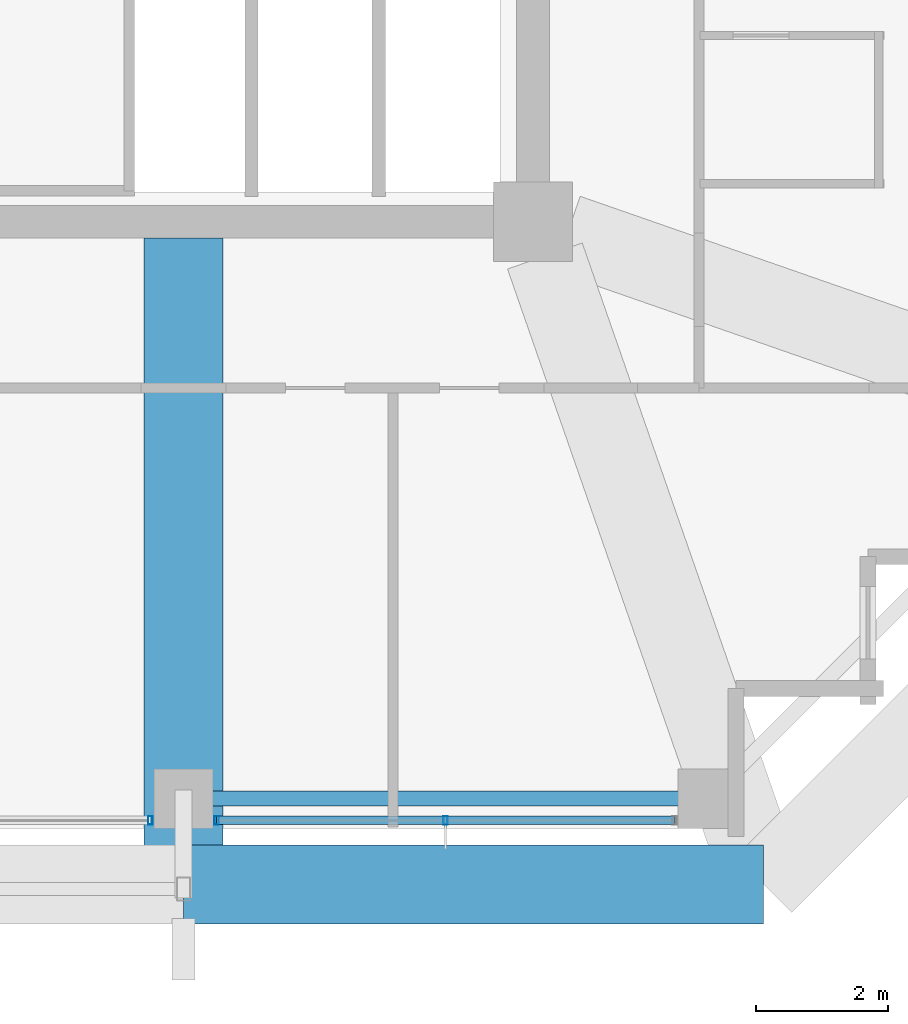
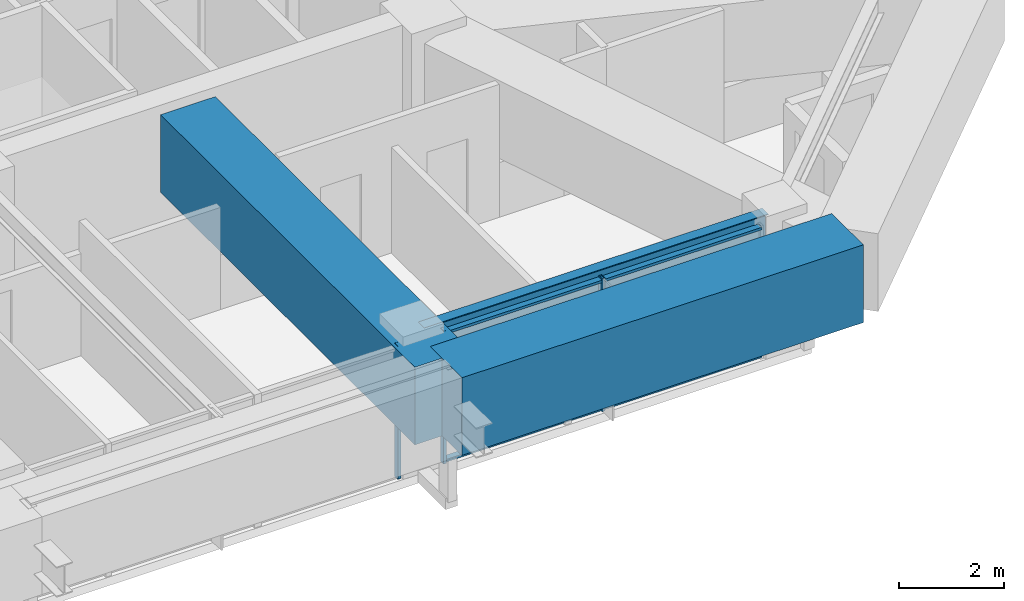
# One storey, part 7 of 40: 5 members, 3 beams, 2 elements without a shape of their own.
"""IFC4 building model written with IfcOpenShell, lengths in metres."""

from ifc_helpers import new_model, si_unit, direction, frame, origin, origin_2d, place, context, subcontext, project, spatial, rectangle, hollow_rectangle, i_section, extrude, material, material_profile, profile_set, type_object, element, aggregate, save


model = new_model("IFC4")

# Units and contexts
model_context = context("Model", 3, precision=1e-05, world=origin(), true_north=direction((0.0, 1.0)))
body_context = subcontext(model_context, "Body", "Model", "MODEL_VIEW")
ifc_project = project(units=[si_unit("LENGTHUNIT", "METRE"), si_unit("AREAUNIT", "SQUARE_METRE"), si_unit("VOLUMEUNIT", "CUBIC_METRE"), si_unit("PLANEANGLEUNIT", "RADIAN"), si_unit("MASSUNIT", "GRAM", prefix="KILO")], contexts=[model_context])

# Site, building, storey
site_placement = place(None, origin())
site = spatial("IfcSite", under=ifc_project, at=site_placement, CompositionType="ELEMENT")
building_placement = place(site_placement, origin())
building = spatial("IfcBuilding", under=site, at=building_placement, Name="Kolvaren Belvedere", CompositionType="ELEMENT")
storey_placement = place(building_placement, frame((0.0, 0.0, 170.10009765625)))
storey = spatial("IfcBuildingStorey", under=building, at=storey_placement, Name="L49", CompositionType="ELEMENT", Elevation=170.10009765625)

# Beams
ifc_material_1 = material(Name="Structural steel ASTM A992 Grade 50", Category="steel")
ifc_material_profile_1 = material_profile(ifc_material_1, i_section(OverallWidth=0.22900390625, OverallDepth=0.612060546875, WebThickness=0.011962890625, FlangeThickness=0.01953125, FilletRadius=0.01806640625, at=origin_2d()), Name="W24X84")
ifc_profile_set_1 = profile_set([ifc_material_profile_1], Name="Structural steel ASTM A992 Grade 50")
beam_type_1 = type_object("IfcBeamType", Name="BM-SPAN-W24X84", PredefinedType="SPANDREL", material=ifc_profile_set_1)
beam_1_placement = place(storey_placement, frame((4.802490234375, -18.64990234375, 2.77392578125), z_axis=(1.0, 0.0, 0.0), x_axis=(0.0, 1.0, 0.0)))
element("IfcBeam", 1, at=beam_1_placement, inside=storey, type_object=beam_type_1, Name="L49 Perimeter Spandrel S3-S4", PredefinedType="SPANDREL", context=body_context, shape_type="SweptSolid", body=[
    extrude(i_section(OverallWidth=0.22900390625, OverallDepth=0.612060546875, WebThickness=0.011962890625, FlangeThickness=0.01953125, FilletRadius=0.01806640625, at=origin_2d()), origin(), (0.0, 0.0, 1.0), 7.544921875),
])
ifc_material_2 = material(Name="Concrete C50/60", Category="concrete")
ifc_material_profile_2 = material_profile(ifc_material_2, rectangle(XDim=1.199951171875, YDim=1.800048828125, at=origin_2d()), Name="RC 1200X1800")
ifc_profile_set_2 = profile_set([ifc_material_profile_2], Name="Concrete C50/60")
beam_type_2 = type_object("IfcBeamType", Name="BM-TG-1800", PredefinedType="BEAM", material=ifc_profile_set_2)
beam_2_placement = place(storey_placement, frame((4.60009765625, -19.949951171875, 2.179931640625), z_axis=(1.0, 0.0, 0.0), x_axis=(0.0, 1.0, 0.0)))
element("IfcBeam", 2, at=beam_2_placement, inside=storey, type_object=beam_type_2, Name="L49 Step Transfer Ring Girder S3-S4", PredefinedType="BEAM", context=body_context, shape_type="SweptSolid", body=[
    extrude(rectangle(XDim=1.199951171875, YDim=1.800048828125, at=origin_2d()), origin(), (0.0, 0.0, 1.0), 8.7998046875),
])
beam_3_placement = place(storey_placement, frame((4.60009765625, -10.14990234375, 2.179931640625), z_axis=(0.0, -1.0, 0.0), x_axis=(1.0, 0.0, 0.0)))
element("IfcBeam", 3, at=beam_3_placement, inside=storey, type_object=beam_type_2, Name="L49 South Radial Girder P", PredefinedType="BEAM", context=body_context, shape_type="SweptSolid", body=[
    extrude(rectangle(XDim=1.199951171875, YDim=1.800048828125, at=origin_2d()), origin(), (0.0, 0.0, 1.0), 9.650146484375),
])

# Curtain wall, members
ifc_material_3 = material(Name="Anodised pale-metal aluminium AA 6063-T6", Category="aluminium")
curtain_wall_type = type_object("IfcCurtainWallType", Name="CW-Z3-WAIST", PredefinedType="NOTDEFINED", material=ifc_material_3)
curtain_wall_1_placement = place(storey_placement, origin())
curtain_wall_1 = element("IfcCurtainWall", 4, at=curtain_wall_1_placement, inside=storey, type_object=curtain_wall_type, Name="L49 Unitised Curtain Wall FCW-L49-S-B1", PredefinedType="NOTDEFINED")
ifc_material_4 = material(Name="Anodised pale-metal aluminium AA 6063-T6", Category="aluminium")
ifc_material_profile_3 = material_profile(ifc_material_4, hollow_rectangle(XDim=0.06494140625, YDim=0.1298828125, WallThickness=0.00390625, at=origin_2d()), Name="ALU-MUL-130X65")
ifc_profile_set_3 = profile_set([ifc_material_profile_3], Name="Anodised pale-metal aluminium AA 6063-T6")
member_type_1 = type_object("IfcMemberType", Name="CW-MUL-130", PredefinedType="MULLION", material=ifc_profile_set_3)
member_1_placement = place(storey_placement, frame((8.574951171875, -18.97998046875, 0.0), z_axis=(0.0, 0.0, 1.0), x_axis=(1.0, 0.0, 0.0)))
member_1 = element("IfcMember", 5, at=member_1_placement, type_object=member_type_1, Name="FCW-L49-S-B1 Unitised Mullion 2", PredefinedType="MULLION", context=body_context, shape_type="SweptSolid", body=[
    extrude(hollow_rectangle(XDim=0.06494140625, YDim=0.1298828125, WallThickness=0.00390625, at=origin_2d()), origin(), (0.0, 0.0, 1.0), 3.079833984375),
])
member_2_placement = place(storey_placement, frame((5.1025390625, -18.97998046875, 0.0), z_axis=(0.0, 0.0, 1.0), x_axis=(1.0, 0.0, 0.0)))
member_2 = element("IfcMember", 6, at=member_2_placement, type_object=member_type_1, Name="FCW-L49-S-B1 Unitised Mullion 3", PredefinedType="MULLION", context=body_context, shape_type="SweptSolid", body=[
    extrude(hollow_rectangle(XDim=0.06494140625, YDim=0.1298828125, WallThickness=0.00390625, at=origin_2d()), origin(), (0.0, 0.0, 1.0), 3.079833984375),
])

# Curtain wall, member
curtain_wall_2_placement = place(storey_placement, origin())
curtain_wall_2 = element("IfcCurtainWall", 7, at=curtain_wall_2_placement, inside=storey, type_object=curtain_wall_type, Name="L49 Unitised Curtain Wall FCW-L49-S-B2", PredefinedType="NOTDEFINED")
member_3_placement = place(storey_placement, frame((4.097412109375, -18.97998046875, 0.0), z_axis=(0.0, 0.0, 1.0), x_axis=(1.0, 0.0, 0.0)))
member_3 = element("IfcMember", 8, at=member_3_placement, type_object=member_type_1, Name="FCW-L49-S-B2 Unitised Mullion 1", PredefinedType="MULLION", context=body_context, shape_type="SweptSolid", body=[
    extrude(hollow_rectangle(XDim=0.06494140625, YDim=0.1298828125, WallThickness=0.00390625, at=origin_2d()), origin(), (0.0, 0.0, 1.0), 3.079833984375),
])
aggregate(curtain_wall_2, [member_3])

# Member
ifc_material_5 = material(Name="Anodised pale-metal aluminium AA 6063-T6", Category="aluminium")
ifc_material_profile_4 = material_profile(ifc_material_5, hollow_rectangle(XDim=0.06005859375, YDim=0.1298828125, WallThickness=0.00390625, at=origin_2d()), Name="ALU-TRN-130X60")
ifc_profile_set_4 = profile_set([ifc_material_profile_4], Name="Anodised pale-metal aluminium AA 6063-T6")
member_type_2 = type_object("IfcMemberType", Name="CW-TRN-130", PredefinedType="USERDEFINED", material=ifc_profile_set_4)
member_4_placement = place(storey_placement, frame((12.047607421875, -18.97998046875, 0.059814453125), z_axis=(-1.0, 0.0, 0.0), x_axis=(0.0, 0.0, 1.0)))
member_4 = element("IfcMember", 9, at=member_4_placement, type_object=member_type_2, Name="FCW-L49-S-B1 Sill Transom", ObjectType="TRANSOM", PredefinedType="USERDEFINED", context=body_context, shape_type="SweptSolid", body=[
    extrude(hollow_rectangle(XDim=0.06005859375, YDim=0.1298828125, WallThickness=0.00390625, at=origin_2d()), origin(), (0.0, 0.0, 1.0), 6.945068359375),
])

member_5_placement = place(storey_placement, frame((12.047607421875, -18.97998046875, 3.02001953125), z_axis=(-1.0, 0.0, 0.0), x_axis=(0.0, 0.0, 1.0)))
member_5 = element("IfcMember", 10, at=member_5_placement, type_object=member_type_2, Name="FCW-L49-S-B1 Head Transom", ObjectType="TRANSOM", PredefinedType="USERDEFINED", context=body_context, shape_type="SweptSolid", body=[
    extrude(hollow_rectangle(XDim=0.06005859375, YDim=0.1298828125, WallThickness=0.00390625, at=origin_2d()), origin(), (0.0, 0.0, 1.0), 6.945068359375),
])

aggregate(curtain_wall_1, [member_1, member_2, member_4, member_5])

save(model, "model.ifc")
